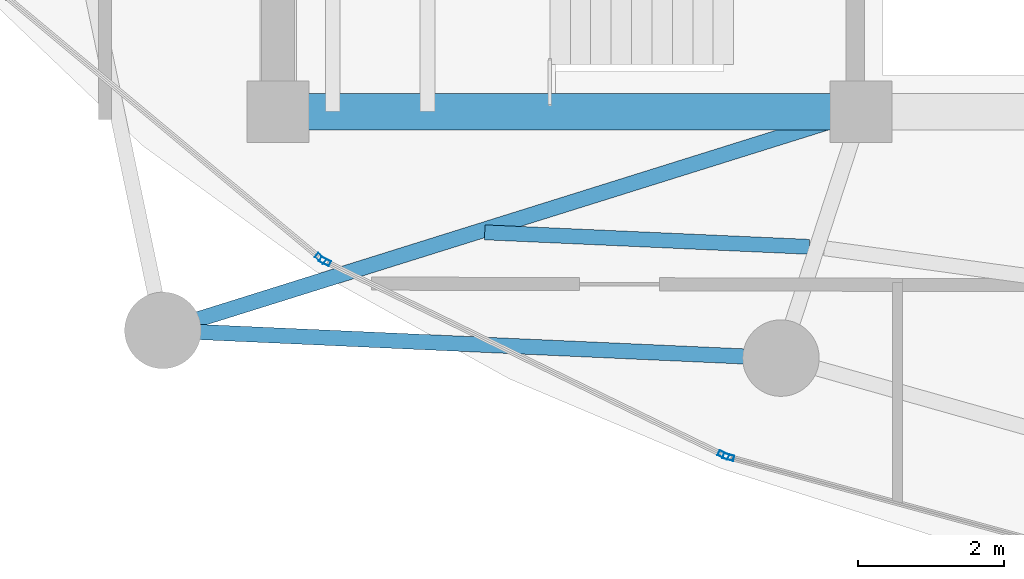
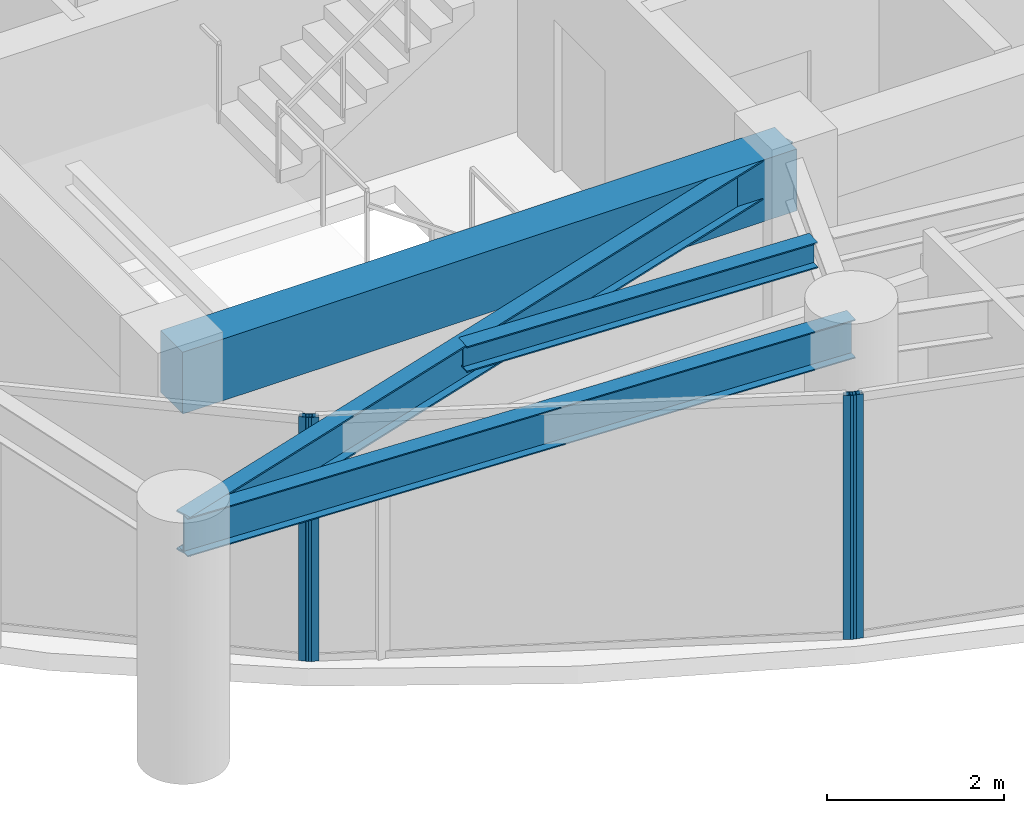
# One storey, part 2 of 31: 4 beams, 4 members, 3 elements without a shape of their own.
"""IFC4 building model written with IfcOpenShell, lengths in metres."""

from ifc_helpers import new_model, si_unit, direction, frame, origin, origin_2d, place, context, subcontext, project, spatial, rectangle, hollow_rectangle, i_section, extrude, material, layer, layer_set, material_profile, profile_set, type_object, element, aggregate, save


model = new_model("IFC4")

# Units and contexts
model_context = context("Model", 3, precision=1e-05, world=origin(), true_north=direction((0.0, 1.0)))
body_context = subcontext(model_context, "Body", "Model", "MODEL_VIEW")
ifc_project = project(units=[si_unit("LENGTHUNIT", "METRE"), si_unit("AREAUNIT", "SQUARE_METRE"), si_unit("VOLUMEUNIT", "CUBIC_METRE"), si_unit("PLANEANGLEUNIT", "RADIAN"), si_unit("MASSUNIT", "GRAM", prefix="KILO")], contexts=[model_context])

# Site, building, storey
site_placement = place(None, origin())
site = spatial("IfcSite", under=ifc_project, at=site_placement, CompositionType="ELEMENT")
building_placement = place(site_placement, origin())
building = spatial("IfcBuilding", under=site, at=building_placement, Name="Kazevale Care Tower and Concert Hall", CompositionType="ELEMENT")
storey_placement = place(building_placement, frame((0.0, 0.0, 235.199951171875)))
storey = spatial("IfcBuildingStorey", under=building, at=storey_placement, Name="L62", CompositionType="ELEMENT", Elevation=235.199951171875)

# Curtain wall, member
ifc_material_1 = material(Name="Aluminium 6063-T6 and Low-E Glass", Category="aluminium")
ifc_layer = layer(ifc_material_1, 0.179931640625)
ifc_layer_set = layer_set([ifc_layer], Name="Aluminium 6063-T6 and Low-E Glass")
curtain_wall_type = type_object("IfcCurtainWallType", Name="Sheltered Concave Balcony Curtain Wall CW-5", PredefinedType="NOTDEFINED", material=ifc_layer_set)
curtain_wall_1_placement = place(storey_placement, origin())
curtain_wall_1 = element("IfcCurtainWall", 1, at=curtain_wall_1_placement, inside=storey, type_object=curtain_wall_type, Name="cw:L62:f08", PredefinedType="NOTDEFINED")
ifc_material_2 = material(Name="Aluminium 6063-T6", Category="aluminium")
ifc_material_profile_1 = material_profile(ifc_material_2, hollow_rectangle(XDim=0.074951171875, YDim=0.14990234375, WallThickness=0.00390625, at=origin_2d()), Name="ALU75x150x4")
ifc_profile_set_1 = profile_set([ifc_material_profile_1], Name="Aluminium 6063-T6")
member_type = type_object("IfcMemberType", Name="CW-5 Mullion ALU75x150x4", PredefinedType="MULLION", material=ifc_profile_set_1)
member_1_placement = place(storey_placement, frame((28.18017578125, 18.863037109375, 0.0), z_axis=(0.0, 0.0, 1.0), x_axis=(-0.262848968947, -0.964836991167, 0.0)))
member_1 = element("IfcMember", 2, at=member_1_placement, type_object=member_type, Name="CW-5 mullion 2", PredefinedType="MULLION", context=body_context, shape_type="SweptSolid", body=[
    extrude(hollow_rectangle(XDim=0.074951171875, YDim=0.14990234375, WallThickness=0.00390625, at=origin_2d()), origin(), (0.0, 0.0, 1.0), 3.360107421875),
])
aggregate(curtain_wall_1, [member_1])

# Curtain wall, members
curtain_wall_2_placement = place(storey_placement, origin())
curtain_wall_2 = element("IfcCurtainWall", 3, at=curtain_wall_2_placement, inside=storey, type_object=curtain_wall_type, Name="cw:L62:f09", PredefinedType="NOTDEFINED")
member_2_placement = place(storey_placement, frame((28.1103515625, 18.889404296875, 0.0), z_axis=(0.0, 0.0, 1.0), x_axis=(-0.437238357087, -0.89934566163, 0.0)))
member_2 = element("IfcMember", 4, at=member_2_placement, type_object=member_type, Name="CW-5 mullion 1", PredefinedType="MULLION", context=body_context, shape_type="SweptSolid", body=[
    extrude(hollow_rectangle(XDim=0.074951171875, YDim=0.14990234375, WallThickness=0.00390625, at=origin_2d()), origin(), (0.0, 0.0, 1.0), 3.360107421875),
])
member_3_placement = place(storey_placement, frame((22.644775390625, 21.546630859375, 0.0), z_axis=(0.0, 0.0, 1.0), x_axis=(-0.437238357087, -0.89934566163, 0.0)))
member_3 = element("IfcMember", 5, at=member_3_placement, type_object=member_type, Name="CW-5 mullion 2", PredefinedType="MULLION", context=body_context, shape_type="SweptSolid", body=[
    extrude(hollow_rectangle(XDim=0.074951171875, YDim=0.14990234375, WallThickness=0.00390625, at=origin_2d()), origin(), (0.0, 0.0, 1.0), 3.360107421875),
])
aggregate(curtain_wall_2, [member_2, member_3])

# Curtain wall, member
curtain_wall_3_placement = place(storey_placement, origin())
curtain_wall_3 = element("IfcCurtainWall", 6, at=curtain_wall_3_placement, inside=storey, type_object=curtain_wall_type, Name="cw:L62:f10", PredefinedType="NOTDEFINED")
member_4_placement = place(storey_placement, frame((22.582275390625, 21.5869140625, 0.0), z_axis=(0.0, 0.0, 1.0), x_axis=(-0.639961217204, -0.768407210062, 0.0)))
member_4 = element("IfcMember", 7, at=member_4_placement, type_object=member_type, Name="CW-5 mullion 1", PredefinedType="MULLION", context=body_context, shape_type="SweptSolid", body=[
    extrude(hollow_rectangle(XDim=0.074951171875, YDim=0.14990234375, WallThickness=0.00390625, at=origin_2d()), origin(), (0.0, 0.0, 1.0), 3.360107421875),
])
aggregate(curtain_wall_3, [member_4])

# Beams
ifc_material_3 = material(Name="Concrete C60", Category="concrete")
ifc_material_profile_2 = material_profile(ifc_material_3, rectangle(XDim=0.5, YDim=0.85009765625, at=origin_2d()), Name="RC-B500x850")
ifc_profile_set_2 = profile_set([ifc_material_profile_2], Name="Concrete C60")
beam_type_1 = type_object("IfcBeamType", Name="Core Coupling Beam RC500x850", PredefinedType="LINTEL", material=ifc_profile_set_2)
beam_1_placement = place(storey_placement, frame((22.0, 23.60009765625, 2.93505859375), z_axis=(1.0, 0.0, 0.0), x_axis=(0.0, 1.0, 0.0)))
element("IfcBeam", 8, at=beam_1_placement, inside=storey, type_object=beam_type_1, Name="beam:L62:coretie:1", PredefinedType="LINTEL", context=body_context, shape_type="SweptSolid", body=[
    extrude(rectangle(XDim=0.5, YDim=0.85009765625, at=origin_2d()), origin(), (0.0, 0.0, 1.0), 8.0),
])
ifc_material_4 = material(Name="Steel ASTM A572 Gr 50", Category="steel")
ifc_material_profile_3 = material_profile(ifc_material_4, i_section(OverallWidth=0.2119140625, OverallDepth=0.5439453125, WebThickness=0.01318359375, FlangeThickness=0.021240234375, at=origin_2d()), Name="W530x123")
ifc_profile_set_3 = profile_set([ifc_material_profile_3], Name="Steel ASTM A572 Gr 50")
beam_type_2 = type_object("IfcBeamType", Name="Radial Floor Girder W530x123", PredefinedType="BEAM", material=ifc_profile_set_3)
beam_2_placement = place(storey_placement, frame((30.0, 23.60009765625, 3.088134765625), z_axis=(-0.954303255322, -0.298839918486, 0.0), x_axis=(0.298839918486, -0.954303255322, 0.0)))
element("IfcBeam", 9, at=beam_2_placement, inside=storey, type_object=beam_type_2, Name="beam:L62:rad:10", PredefinedType="BEAM", context=body_context, shape_type="SweptSolid", body=[
    extrude(i_section(OverallWidth=0.2119140625, OverallDepth=0.5439453125, WebThickness=0.01318359375, FlangeThickness=0.021240234375, at=origin_2d()), origin(), (0.0, 0.0, 1.0), 10.038818359375),
])
ifc_material_profile_4 = material_profile(ifc_material_4, i_section(OverallWidth=0.205078125, OverallDepth=0.35400390625, WebThickness=0.009521484375, FlangeThickness=0.016845703125, at=origin_2d()), Name="W360x79")
ifc_profile_set_4 = profile_set([ifc_material_profile_4], Name="Steel ASTM A572 Gr 50")
beam_type_3 = type_object("IfcBeamType", Name="Secondary Floor Joist W360x79", PredefinedType="JOIST", material=ifc_profile_set_4)
beam_3_placement = place(storey_placement, frame((24.8359375, 21.945068359375, 3.18310546875), z_axis=(0.999003687274, -0.044627713502, 0.0), x_axis=(0.044627713502, 0.999003687274, 0.0)))
element("IfcBeam", 10, at=beam_3_placement, inside=storey, type_object=beam_type_3, Name="beam:L62:joist:10", PredefinedType="JOIST", context=body_context, shape_type="SweptSolid", body=[
    extrude(i_section(OverallWidth=0.205078125, OverallDepth=0.35400390625, WebThickness=0.009521484375, FlangeThickness=0.016845703125, at=origin_2d()), origin(), (0.0, 0.0, 1.0), 4.45849609375),
])
ifc_material_profile_5 = material_profile(ifc_material_4, i_section(OverallWidth=0.208984375, OverallDepth=0.532958984375, WebThickness=0.01025390625, FlangeThickness=0.015625, at=origin_2d()), Name="W530x92")
ifc_profile_set_5 = profile_set([ifc_material_profile_5], Name="Steel ASTM A572 Gr 50")
beam_type_4 = type_object("IfcBeamType", Name="Upper Ring Beam W530x92", PredefinedType="BEAM", material=ifc_profile_set_5)
beam_4_placement = place(storey_placement, frame((20.419921875, 20.60009765625, 3.093505859375), z_axis=(0.998996808771, -0.044781425441, 0.0), x_axis=(0.044781425441, 0.998996808771, 0.0)))
element("IfcBeam", 11, at=beam_4_placement, inside=storey, type_object=beam_type_4, Name="beam:L62:ring:10", PredefinedType="BEAM", context=body_context, shape_type="SweptSolid", body=[
    extrude(i_section(OverallWidth=0.208984375, OverallDepth=0.532958984375, WebThickness=0.01025390625, FlangeThickness=0.015625, at=origin_2d()), origin(), (0.0, 0.0, 1.0), 8.488525390625),
])

save(model, "model.ifc")
